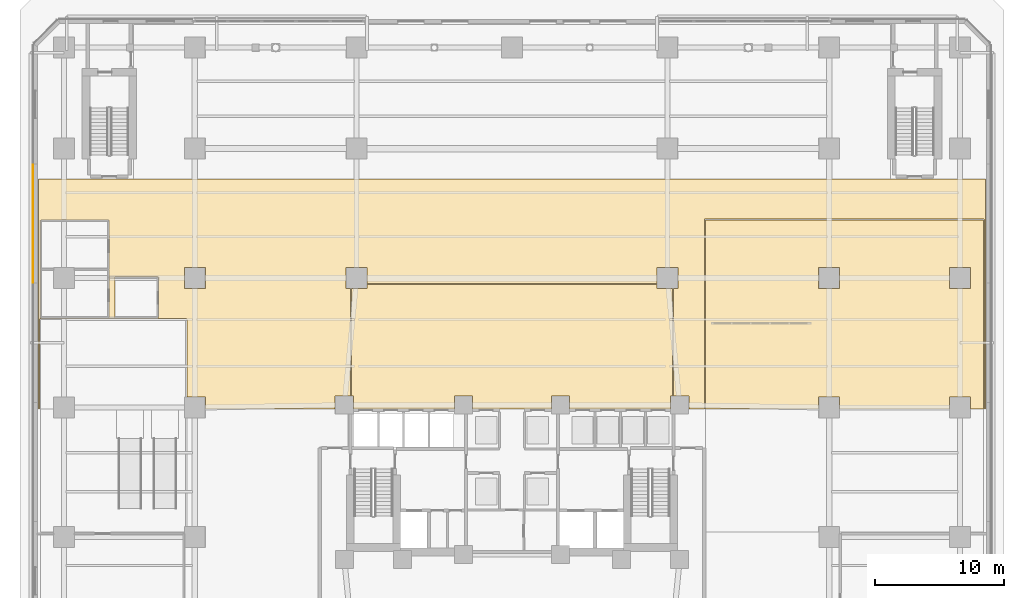
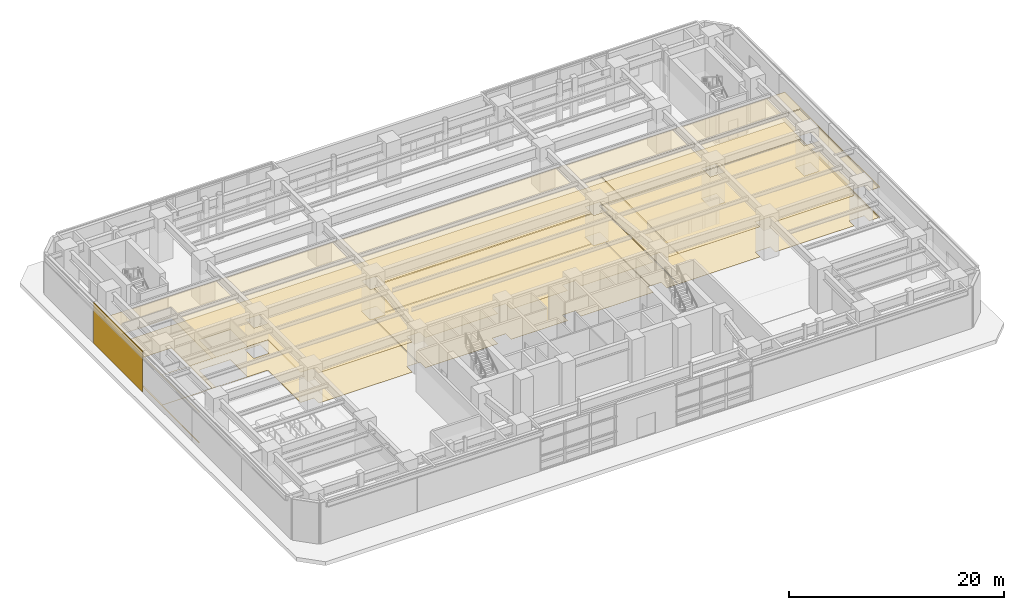
# One storey, part 22 of 26: 7 coverings.
"""IFC4 building model written with IfcOpenShell, lengths in metres."""

import ifcopenshell
import ifcopenshell.guid

model = None  # the IFC model being written
_history = None  # IfcOwnerHistory: only IFC2X3 demands one
_inside = {}  # id of a spatial element -> (the spatial element, [elements in it])
_under = {}  # id of a project, library or spatial element -> (it, [spatial elements below it])
_declared = {}  # id of a project -> (the project, [libraries it declares])
_typed = {}  # id of a type object -> (the type object, [elements of that type])
_made_of = {}  # id of a material, layer set ... -> (it, [elements and type objects made of it])


def new_model(schema):
    """Start an empty IFC model of exactly this schema.

    Asked for "IFC4X3", IfcOpenShell would pick the latest addendum, in which some entities
    have other attributes; the version numbers below select the first issue.
    IFC2X3 requires an IfcOwnerHistory on every rooted entity: one is made here for all.
    """
    global model, _history
    if schema == "IFC4X3":
        model = ifcopenshell.file(schema_version=(4, 3, 0, 0))
    else:
        model = ifcopenshell.file(schema=schema)
    _inside.clear()
    _under.clear()
    _declared.clear()
    _typed.clear()
    _made_of.clear()
    _history = None
    if model.schema == "IFC2X3":
        org = make("IfcOrganization", Name="unknown")
        user = make(
            "IfcPersonAndOrganization",
            ThePerson=make("IfcPerson", FamilyName="unknown"),
            TheOrganization=org,
        )
        app = make(
            "IfcApplication",
            ApplicationDeveloper=org,
            Version="unknown",
            ApplicationFullName="unknown",
            ApplicationIdentifier="unknown",
        )
        _history = make(
            "IfcOwnerHistory",
            OwningUser=user,
            OwningApplication=app,
            ChangeAction="ADDED",
            CreationDate=0,
        )
    return model


def make(cls, **values):
    """One entity of the class cls with the attributes given. An attribute that is None is left unset."""
    return model.create_entity(
        cls, **{name: value for name, value in values.items() if value is not None}
    )


def rooted(cls, **values):
    """An entity with a GlobalId (a new one), such as an element, a storey or a relation."""
    return make(cls, GlobalId=ifcopenshell.guid.new(), OwnerHistory=_history, **values)


def si_unit(unit_type, name, prefix=None):
    """IfcSIUnit, for example si_unit("LENGTHUNIT", "METRE", prefix="MILLI")."""
    return make("IfcSIUnit", UnitType=unit_type, Prefix=prefix, Name=name)


def assignment(units):
    """IfcUnitAssignment: the units of a project."""
    return None if units is None else make("IfcUnitAssignment", Units=units)


def point(xyz):
    """IfcCartesianPoint."""
    return None if xyz is None else make("IfcCartesianPoint", Coordinates=xyz)


def direction(xyz):
    """IfcDirection."""
    return None if xyz is None else make("IfcDirection", DirectionRatios=xyz)


def frame(location, z_axis=None, x_axis=None):
    """IfcAxis2Placement3D, a coordinate frame: its origin and axes. An axis left out is left unset."""
    return make(
        "IfcAxis2Placement3D",
        Location=point(location),
        Axis=direction(z_axis),
        RefDirection=direction(x_axis),
    )


def origin():
    """The frame at (0, 0, 0) with its axes left unset."""
    return frame((0.0, 0.0, 0.0))


def place(relative_to, where):
    """IfcLocalPlacement: puts the frame where relative to a parent placement (None: the world)."""
    return make(
        "IfcLocalPlacement", PlacementRelTo=relative_to, RelativePlacement=where
    )


def context(
    kind, dimensions, precision=None, world=None, true_north=None, identifier=None
):
    """IfcGeometricRepresentationContext, for example the 3D "Model" context."""
    return make(
        "IfcGeometricRepresentationContext",
        ContextIdentifier=identifier,
        ContextType=kind,
        CoordinateSpaceDimension=dimensions,
        Precision=precision,
        WorldCoordinateSystem=world,
        TrueNorth=true_north,
    )


def subcontext(parent, identifier, kind, view, scale=None):
    """IfcGeometricRepresentationSubContext, for example "Body" below "Model"."""
    return make(
        "IfcGeometricRepresentationSubContext",
        ContextIdentifier=identifier,
        ContextType=kind,
        ParentContext=parent,
        TargetScale=scale,
        TargetView=view,
    )


def project(units=None, contexts=None):
    """IfcProject with its units and contexts."""
    return rooted(
        "IfcProject",
        Name="project",
        RepresentationContexts=contexts,
        UnitsInContext=assignment(units),
    )


def spatial(cls, under=None, at=None, **own):
    """A site, building, storey or space (cls), placed at a placement, below another one or the project."""
    s = rooted(cls, ObjectPlacement=at, **own)
    if under is not None:
        _under.setdefault(under.id(), (under, []))[1].append(s)
    return s


def polyline(points):
    """IfcPolyline through the points."""
    return make("IfcPolyline", Points=[point(p) for p in points])


def outline(outer, holes=None, kind="AREA"):
    """IfcArbitraryClosedProfileDef: a profile drawn as a closed curve; with holes, ...WithVoids."""
    if holes is None:
        return make("IfcArbitraryClosedProfileDef", ProfileType=kind, OuterCurve=outer)
    return make(
        "IfcArbitraryProfileDefWithVoids",
        ProfileType=kind,
        OuterCurve=outer,
        InnerCurves=holes,
    )


def extrude(swept, where, along, depth):
    """IfcExtrudedAreaSolid: the profile swept, set in the frame where, extruded along a direction by depth."""
    return make(
        "IfcExtrudedAreaSolid",
        SweptArea=swept,
        Position=where,
        ExtrudedDirection=direction(along),
        Depth=depth,
    )


def shape(context_of_items, identifier, shape_type, items):
    """IfcShapeRepresentation: the items that make up one representation, for example the "Body"."""
    return make(
        "IfcShapeRepresentation",
        ContextOfItems=context_of_items,
        RepresentationIdentifier=identifier,
        RepresentationType=shape_type,
        Items=items,
    )


def material(Name=None, Category=None):
    """IfcMaterial."""
    return make("IfcMaterial", Name=Name, Category=Category)


def layer(
    of_material, thickness, ventilated=None, Name=None, Category=None, Priority=None
):
    """IfcMaterialLayer: one layer of a wall or slab, of a material (None: an air gap)."""
    return make(
        "IfcMaterialLayer",
        Material=of_material,
        LayerThickness=thickness,
        IsVentilated=ventilated,
        Name=Name,
        Category=Category,
        Priority=Priority,
    )


def layer_set(layers, Name=None):
    """IfcMaterialLayerSet."""
    return make("IfcMaterialLayerSet", MaterialLayers=layers, LayerSetName=Name)


def made_of(thing, what):
    """Note that an element or type object is made of a material, layer set ...; save() writes the relation."""
    if what is not None:
        _made_of.setdefault(what.id(), (what, []))[1].append(thing)
    return thing


def type_object(cls, material=None, **own):
    """A type object (cls), such as IfcWallType, which elements share."""
    return made_of(rooted(cls, **own), material)


def element(
    cls,
    number,
    at=None,
    inside=None,
    cuts=None,
    type_object=None,
    material=None,
    context=None,
    identifier="Body",
    shape_type=None,
    held_by="IfcProductDefinitionShape",
    body=None,
    shapes=None,
    **own,
):
    """One element of the class cls, such as IfcWall. Its Tag is "e" and its number.

    at: its placement. inside: the storey or other place that contains it. cuts: it is an
    opening in that element (IfcRelVoidsElement). A single representation is given by context,
    identifier, shape_type and body (its items); several are given by shapes. held_by: the class
    of the entity that holds the representations. save() writes the other relations.
    """
    e = rooted(cls, Tag="e%d" % number, ObjectPlacement=at, **own)
    if body is not None:
        shapes = [shape(context, identifier, shape_type, body)]
    if shapes is not None:
        e.Representation = make(held_by, Representations=shapes)
    if inside is not None:
        _inside.setdefault(inside.id(), (inside, []))[1].append(e)
    if cuts is not None:
        rooted(
            "IfcRelVoidsElement", RelatingBuildingElement=cuts, RelatedOpeningElement=e
        )
    if type_object is not None:
        _typed.setdefault(type_object.id(), (type_object, []))[1].append(e)
    return made_of(e, material)


def aggregate(whole, parts):
    """IfcRelAggregates: a whole, such as a stair, and the parts it consists of."""
    return rooted("IfcRelAggregates", RelatingObject=whole, RelatedObjects=parts)


def save(model, path):
    """Write the relations noted so far, then the file.

    IfcRelAggregates (storeys below a building ...), IfcRelContainedInSpatialStructure (elements
    in a storey), IfcRelDefinesByType, IfcRelAssociatesMaterial and IfcRelDeclares: one each for
    every whole, place, type object, material and project.
    """
    for whole, parts in _under.values():
        aggregate(whole, parts)
    for where, things in _inside.values():
        rooted(
            "IfcRelContainedInSpatialStructure",
            RelatedElements=things,
            RelatingStructure=where,
        )
    for kind, things in _typed.values():
        rooted("IfcRelDefinesByType", RelatedObjects=things, RelatingType=kind)
    for what, things in _made_of.values():
        rooted("IfcRelAssociatesMaterial", RelatedObjects=things, RelatingMaterial=what)
    for by, libraries in _declared.values():
        rooted("IfcRelDeclares", RelatingContext=by, RelatedDefinitions=libraries)
    model.write(path)


model = new_model("IFC4")

# Units and contexts
model_context = context("Model", 3, precision=1e-05, world=origin(), true_north=direction((0.0, 1.0)))
body_context = subcontext(model_context, "Body", "Model", "MODEL_VIEW")
ifc_project = project(units=[si_unit("LENGTHUNIT", "METRE"), si_unit("AREAUNIT", "SQUARE_METRE"), si_unit("VOLUMEUNIT", "CUBIC_METRE"), si_unit("PLANEANGLEUNIT", "RADIAN"), si_unit("MASSUNIT", "GRAM", prefix="KILO")], contexts=[model_context])

# Site, building, storey
site_placement = place(None, origin())
site = spatial("IfcSite", under=ifc_project, at=site_placement, CompositionType="ELEMENT")
building_placement = place(site_placement, origin())
building = spatial("IfcBuilding", under=site, at=building_placement, Name="Quenlor Broadcast Tower", CompositionType="ELEMENT")
storey_placement = place(building_placement, origin())
storey = spatial("IfcBuildingStorey", under=building, at=storey_placement, Name="L00", CompositionType="ELEMENT", Elevation=0.0)

# Coverings
ifc_material_1 = material(Name="Acoustic Mineral Fibre Board", Category="other")
ifc_layer_1 = layer(ifc_material_1, 0.02490234375)
ifc_layer_set_1 = layer_set([ifc_layer_1], Name="Acoustic Perforated Mineral Tile Ceiling 25")
covering_type_1 = type_object("IfcCoveringType", Name="Acoustic Perforated Mineral Tile Ceiling 25", PredefinedType="CEILING", material=ifc_layer_set_1)
covering_1_placement = place(storey_placement, frame((0.0, 0.0, 3.425048828125)))
element("IfcCovering", 1, at=covering_1_placement, inside=storey, type_object=covering_type_1, Name="L00 Acoustic Ceiling L00-40", PredefinedType="CEILING", context=body_context, shape_type="SweptSolid", body=[
    extrude(outline(polyline([(12.39990234375, 4.19189453125), (12.39990234375, -4.092041015625), (12.241943359375, -4.092041015625), (12.241943359375, -5.1201171875), (4.4580078125, -5.1201171875), (4.4580078125, -4.092041015625), (3.0419921875, -4.092041015625), (3.0419921875, -5.1201171875), (-3.0419921875, -5.1201171875), (-3.0419921875, -4.092041015625), (-4.4580078125, -4.092041015625), (-4.4580078125, -5.1201171875), (-12.241943359375, -5.1201171875), (-12.241943359375, -4.092041015625), (-12.39990234375, -4.092041015625), (-12.39990234375, 4.19189453125), (-11.19189453125, 4.19189453125), (-11.19189453125, 4.5), (11.19189453125, 4.5), (11.19189453125, 4.19189453125), (12.39990234375, 4.19189453125)])), origin(), (0.0, 0.0, 1.0), 0.02490234375),
])
covering_2_placement = place(storey_placement, frame((0.0, 0.0, 3.425048828125)))
element("IfcCovering", 2, at=covering_2_placement, inside=storey, type_object=covering_type_1, Name="L00 Acoustic Ceiling L00-41", PredefinedType="CEILING", context=body_context, shape_type="SweptSolid", body=[
    extrude(outline(polyline([(36.39990234375, -5.1201171875), (35.407958984375, -5.1201171875), (35.407958984375, -4.19189453125), (33.7919921875, -4.19189453125), (33.7919921875, -5.1201171875), (25.30810546875, -5.1201171875), (25.30810546875, -4.19189453125), (23.69189453125, -4.19189453125), (23.69189453125, -5.1201171875), (14.949951171875, -5.1201171875), (14.949951171875, 9.5), (36.39990234375, 9.5), (36.39990234375, -5.1201171875)]), holes=[polyline([(25.30810546875, 4.19189453125), (25.30810546875, 5.80810546875), (23.69189453125, 5.80810546875), (23.69189453125, 4.19189453125), (25.30810546875, 4.19189453125)]), polyline([(35.407958984375, 4.19189453125), (35.407958984375, 5.80810546875), (33.7919921875, 5.80810546875), (33.7919921875, 4.19189453125), (35.407958984375, 4.19189453125)])]), origin(), (0.0, 0.0, 1.0), 0.02490234375),
])
covering_3_placement = place(storey_placement, frame((0.0, 0.0, 3.425048828125)))
element("IfcCovering", 3, at=covering_3_placement, inside=storey, type_object=covering_type_1, Name="L00 Acoustic Ceiling L00-42", PredefinedType="CEILING", context=body_context, shape_type="SweptSolid", body=[
    extrude(outline(polyline([(36.580078125, -5.1201171875), (36.47998046875, -5.1201171875), (36.47998046875, 9.5), (36.478515625, 9.515625), (36.473876953125, 9.530517578125), (36.466552734375, 9.54443359375), (36.45654296875, 9.556640625), (36.4443359375, 9.56640625), (36.4306640625, 9.573974609375), (36.41552734375, 9.57861328125), (36.39990234375, 9.580078125), (14.949951171875, 9.580078125), (14.934326171875, 9.57861328125), (14.91943359375, 9.573974609375), (14.905517578125, 9.56640625), (14.893310546875, 9.556640625), (14.883544921875, 9.54443359375), (14.876220703125, 9.530517578125), (14.87158203125, 9.515625), (14.8701171875, 9.5), (14.8701171875, -5.1201171875), (13.657958984375, -5.1201171875), (13.657958984375, -4.092041015625), (12.47998046875, -4.092041015625), (12.47998046875, 4.19189453125), (12.80810546875, 4.19189453125), (12.80810546875, 5.80810546875), (11.19189453125, 5.80810546875), (11.19189453125, 4.580078125), (-11.19189453125, 4.580078125), (-11.19189453125, 5.80810546875), (-12.80810546875, 5.80810546875), (-12.80810546875, 4.19189453125), (-12.47998046875, 4.19189453125), (-12.47998046875, -4.092041015625), (-13.657958984375, -4.092041015625), (-13.657958984375, -5.1201171875), (-23.69189453125, -5.1201171875), (-23.69189453125, -4.19189453125), (-25.1201171875, -4.19189453125), (-25.1201171875, 1.800048828125), (-25.12158203125, 1.815673828125), (-25.126220703125, 1.83056640625), (-25.133544921875, 1.844482421875), (-25.143310546875, 1.856689453125), (-25.155517578125, 1.866455078125), (-25.16943359375, 1.873779296875), (-25.184326171875, 1.87841796875), (-25.199951171875, 1.8798828125), (-36.39990234375, 1.8798828125), (-36.41552734375, 1.87841796875), (-36.4306640625, 1.873779296875), (-36.4443359375, 1.866455078125), (-36.45654296875, 1.856689453125), (-36.466552734375, 1.844482421875), (-36.473876953125, 1.83056640625), (-36.478515625, 1.815673828125), (-36.47998046875, 1.800048828125), (-36.47998046875, -5.1201171875), (-36.580078125, -5.1201171875), (-36.580078125, 12.64990234375), (36.580078125, 12.64990234375), (36.580078125, -5.1201171875)]), holes=[polyline([(-27.384521484375, 1.92138671875), (-27.369384765625, 1.926025390625), (-27.355712890625, 1.93359375), (-27.343505859375, 1.943359375), (-27.33349609375, 1.95556640625), (-27.326171875, 1.969482421875), (-27.321533203125, 1.984375), (-27.320068359375, 2.0), (-27.320068359375, 5.0), (-27.321533203125, 5.015625), (-27.326171875, 5.030517578125), (-27.33349609375, 5.04443359375), (-27.343505859375, 5.056640625), (-27.355712890625, 5.06640625), (-27.369384765625, 5.073974609375), (-27.384521484375, 5.07861328125), (-27.39990234375, 5.080078125), (-30.60009765625, 5.080078125), (-30.615478515625, 5.07861328125), (-30.630615234375, 5.073974609375), (-30.644287109375, 5.06640625), (-30.656494140625, 5.056640625), (-30.66650390625, 5.04443359375), (-30.673828125, 5.030517578125), (-30.678466796875, 5.015625), (-30.679931640625, 5.0), (-30.679931640625, 2.0), (-30.678466796875, 1.984375), (-30.673828125, 1.969482421875), (-30.66650390625, 1.95556640625), (-30.656494140625, 1.943359375), (-30.644287109375, 1.93359375), (-30.630615234375, 1.926025390625), (-30.615478515625, 1.92138671875), (-30.60009765625, 1.919921875), (-27.39990234375, 1.919921875), (-27.384521484375, 1.92138671875)]), polyline([(-31.184326171875, 1.92138671875), (-31.16943359375, 1.926025390625), (-31.155517578125, 1.93359375), (-31.143310546875, 1.943359375), (-31.133544921875, 1.95556640625), (-31.126220703125, 1.969482421875), (-31.12158203125, 1.984375), (-31.1201171875, 2.0), (-31.1201171875, 5.60009765625), (-31.12158203125, 5.615478515625), (-31.126220703125, 5.630615234375), (-31.133544921875, 5.644287109375), (-31.143310546875, 5.656494140625), (-31.155517578125, 5.66650390625), (-31.16943359375, 5.673828125), (-31.155517578125, 5.68359375), (-31.143310546875, 5.693359375), (-31.133544921875, 5.70556640625), (-31.126220703125, 5.719482421875), (-31.12158203125, 5.734375), (-31.1201171875, 5.75), (-31.1201171875, 9.39990234375), (-31.12158203125, 9.41552734375), (-31.126220703125, 9.4306640625), (-31.133544921875, 9.4443359375), (-31.143310546875, 9.45654296875), (-31.155517578125, 9.466552734375), (-31.16943359375, 9.473876953125), (-31.184326171875, 9.478515625), (-31.199951171875, 9.47998046875), (-36.35009765625, 9.47998046875), (-36.365478515625, 9.478515625), (-36.380615234375, 9.473876953125), (-36.394287109375, 9.466552734375), (-36.406494140625, 9.45654296875), (-36.41650390625, 9.4443359375), (-36.423828125, 9.4306640625), (-36.428466796875, 9.41552734375), (-36.429931640625, 9.39990234375), (-36.429931640625, 5.75), (-36.428466796875, 5.734375), (-36.423828125, 5.719482421875), (-36.41650390625, 5.70556640625), (-36.406494140625, 5.693359375), (-36.394287109375, 5.68359375), (-36.380615234375, 5.676025390625), (-36.394287109375, 5.66650390625), (-36.406494140625, 5.656494140625), (-36.41650390625, 5.644287109375), (-36.423828125, 5.630615234375), (-36.428466796875, 5.615478515625), (-36.429931640625, 5.60009765625), (-36.429931640625, 2.0), (-36.428466796875, 1.984375), (-36.423828125, 1.969482421875), (-36.41650390625, 1.95556640625), (-36.406494140625, 1.943359375), (-36.394287109375, 1.93359375), (-36.380615234375, 1.926025390625), (-36.35791015625, 1.92041015625), (-31.199951171875, 1.919921875), (-31.184326171875, 1.92138671875)]), polyline([(-23.69189453125, 4.19189453125), (-23.69189453125, 5.80810546875), (-25.30810546875, 5.80810546875), (-25.30810546875, 4.19189453125), (-23.69189453125, 4.19189453125)])]), origin(), (0.0, 0.0, 1.0), 0.02490234375),
])
ifc_material_2 = material(Name="Architectural Terracotta Ceramic", Category="masonry")
ifc_layer_2 = layer(ifc_material_2, 0.044921875)
ifc_layer_set_2 = layer_set([ifc_layer_2], Name="Fluted Terracotta Rainscreen Cladding Panel")
covering_type_2 = type_object("IfcCoveringType", Name="Fluted Terracotta Rainscreen Cladding Panel", PredefinedType="CLADDING", material=ifc_layer_set_2)
covering_4_placement = place(storey_placement, frame((0.0, 0.0, 0.02001953125)))
element("IfcCovering", 4, at=covering_4_placement, inside=storey, type_object=covering_type_2, Name="L00 Terracotta Rainscreen Cladding L00-EW-W4", PredefinedType="CLADDING", context=body_context, shape_type="SweptSolid", body=[
    extrude(outline(polyline([(-36.971923828125, 4.6298828125), (-36.971923828125, 13.77001953125), (-37.01708984375, 13.77001953125), (-37.01708984375, 4.6298828125), (-36.971923828125, 4.6298828125)])), origin(), (0.0, 0.0, 1.0), 4.659912109375),
])
ifc_material_3 = material(Name="Terrazzo Stone Finish", Category="masonry")
ifc_layer_3 = layer(ifc_material_3, 0.02001953125)
ifc_layer_set_3 = layer_set([ifc_layer_3], Name="Polished Sandstone Terrazzo Flooring 20")
covering_type_3 = type_object("IfcCoveringType", Name="Polished Sandstone Terrazzo Flooring 20", PredefinedType="FLOORING", material=ifc_layer_set_3)
covering_5_placement = place(storey_placement, origin())
element("IfcCovering", 5, at=covering_5_placement, inside=storey, type_object=covering_type_3, Name="L00 Terrazzo Flooring L00-40", PredefinedType="FLOORING", context=body_context, shape_type="SweptSolid", body=[
    extrude(outline(polyline([(12.39990234375, 4.19189453125), (12.39990234375, -4.092041015625), (12.241943359375, -4.092041015625), (12.241943359375, -5.1201171875), (4.4580078125, -5.1201171875), (4.4580078125, -4.092041015625), (3.0419921875, -4.092041015625), (3.0419921875, -5.1201171875), (-3.0419921875, -5.1201171875), (-3.0419921875, -4.092041015625), (-4.4580078125, -4.092041015625), (-4.4580078125, -5.1201171875), (-12.241943359375, -5.1201171875), (-12.241943359375, -4.092041015625), (-12.39990234375, -4.092041015625), (-12.39990234375, 4.19189453125), (-11.19189453125, 4.19189453125), (-11.19189453125, 4.5), (11.19189453125, 4.5), (11.19189453125, 4.19189453125), (12.39990234375, 4.19189453125)])), origin(), (0.0, 0.0, 1.0), 0.02001953125),
])
covering_6_placement = place(storey_placement, origin())
element("IfcCovering", 6, at=covering_6_placement, inside=storey, type_object=covering_type_3, Name="L00 Terrazzo Flooring L00-41", PredefinedType="FLOORING", context=body_context, shape_type="SweptSolid", body=[
    extrude(outline(polyline([(36.39990234375, -5.1201171875), (35.407958984375, -5.1201171875), (35.407958984375, -4.19189453125), (33.7919921875, -4.19189453125), (33.7919921875, -5.1201171875), (25.30810546875, -5.1201171875), (25.30810546875, -4.19189453125), (23.69189453125, -4.19189453125), (23.69189453125, -5.1201171875), (14.949951171875, -5.1201171875), (14.949951171875, 9.5), (36.39990234375, 9.5), (36.39990234375, -5.1201171875)]), holes=[polyline([(25.30810546875, 4.19189453125), (25.30810546875, 5.80810546875), (23.69189453125, 5.80810546875), (23.69189453125, 4.19189453125), (25.30810546875, 4.19189453125)]), polyline([(35.407958984375, 4.19189453125), (35.407958984375, 5.80810546875), (33.7919921875, 5.80810546875), (33.7919921875, 4.19189453125), (35.407958984375, 4.19189453125)])]), origin(), (0.0, 0.0, 1.0), 0.02001953125),
])
covering_7_placement = place(storey_placement, origin())
element("IfcCovering", 7, at=covering_7_placement, inside=storey, type_object=covering_type_3, Name="L00 Terrazzo Flooring L00-42", PredefinedType="FLOORING", context=body_context, shape_type="SweptSolid", body=[
    extrude(outline(polyline([(36.580078125, -5.1201171875), (36.47998046875, -5.1201171875), (36.47998046875, 9.5), (36.478515625, 9.515625), (36.473876953125, 9.530517578125), (36.466552734375, 9.54443359375), (36.45654296875, 9.556640625), (36.4443359375, 9.56640625), (36.4306640625, 9.573974609375), (36.41552734375, 9.57861328125), (36.39990234375, 9.580078125), (14.949951171875, 9.580078125), (14.934326171875, 9.57861328125), (14.91943359375, 9.573974609375), (14.905517578125, 9.56640625), (14.893310546875, 9.556640625), (14.883544921875, 9.54443359375), (14.876220703125, 9.530517578125), (14.87158203125, 9.515625), (14.8701171875, 9.5), (14.8701171875, -5.1201171875), (13.657958984375, -5.1201171875), (13.657958984375, -4.092041015625), (12.47998046875, -4.092041015625), (12.47998046875, 4.19189453125), (12.80810546875, 4.19189453125), (12.80810546875, 5.80810546875), (11.19189453125, 5.80810546875), (11.19189453125, 4.580078125), (-11.19189453125, 4.580078125), (-11.19189453125, 5.80810546875), (-12.80810546875, 5.80810546875), (-12.80810546875, 4.19189453125), (-12.47998046875, 4.19189453125), (-12.47998046875, -4.092041015625), (-13.657958984375, -4.092041015625), (-13.657958984375, -5.1201171875), (-23.69189453125, -5.1201171875), (-23.69189453125, -4.19189453125), (-25.1201171875, -4.19189453125), (-25.1201171875, 1.800048828125), (-25.12158203125, 1.815673828125), (-25.126220703125, 1.83056640625), (-25.133544921875, 1.844482421875), (-25.143310546875, 1.856689453125), (-25.155517578125, 1.866455078125), (-25.16943359375, 1.873779296875), (-25.184326171875, 1.87841796875), (-25.199951171875, 1.8798828125), (-36.39990234375, 1.8798828125), (-36.41552734375, 1.87841796875), (-36.4306640625, 1.873779296875), (-36.4443359375, 1.866455078125), (-36.45654296875, 1.856689453125), (-36.466552734375, 1.844482421875), (-36.473876953125, 1.83056640625), (-36.478515625, 1.815673828125), (-36.47998046875, 1.800048828125), (-36.47998046875, -5.1201171875), (-36.580078125, -5.1201171875), (-36.580078125, 12.64990234375), (36.580078125, 12.64990234375), (36.580078125, -5.1201171875)]), holes=[polyline([(-27.384521484375, 1.92138671875), (-27.369384765625, 1.926025390625), (-27.355712890625, 1.93359375), (-27.343505859375, 1.943359375), (-27.33349609375, 1.95556640625), (-27.326171875, 1.969482421875), (-27.321533203125, 1.984375), (-27.320068359375, 2.0), (-27.320068359375, 5.0), (-27.321533203125, 5.015625), (-27.326171875, 5.030517578125), (-27.33349609375, 5.04443359375), (-27.343505859375, 5.056640625), (-27.355712890625, 5.06640625), (-27.369384765625, 5.073974609375), (-27.384521484375, 5.07861328125), (-27.39990234375, 5.080078125), (-30.60009765625, 5.080078125), (-30.615478515625, 5.07861328125), (-30.630615234375, 5.073974609375), (-30.644287109375, 5.06640625), (-30.656494140625, 5.056640625), (-30.66650390625, 5.04443359375), (-30.673828125, 5.030517578125), (-30.678466796875, 5.015625), (-30.679931640625, 5.0), (-30.679931640625, 2.0), (-30.678466796875, 1.984375), (-30.673828125, 1.969482421875), (-30.66650390625, 1.95556640625), (-30.656494140625, 1.943359375), (-30.644287109375, 1.93359375), (-30.630615234375, 1.926025390625), (-30.615478515625, 1.92138671875), (-30.60009765625, 1.919921875), (-27.39990234375, 1.919921875), (-27.384521484375, 1.92138671875)]), polyline([(-31.184326171875, 1.92138671875), (-31.16943359375, 1.926025390625), (-31.155517578125, 1.93359375), (-31.143310546875, 1.943359375), (-31.133544921875, 1.95556640625), (-31.126220703125, 1.969482421875), (-31.12158203125, 1.984375), (-31.1201171875, 2.0), (-31.1201171875, 5.60009765625), (-31.12158203125, 5.615478515625), (-31.126220703125, 5.630615234375), (-31.133544921875, 5.644287109375), (-31.143310546875, 5.656494140625), (-31.155517578125, 5.66650390625), (-31.16943359375, 5.673828125), (-31.155517578125, 5.68359375), (-31.143310546875, 5.693359375), (-31.133544921875, 5.70556640625), (-31.126220703125, 5.719482421875), (-31.12158203125, 5.734375), (-31.1201171875, 5.75), (-31.1201171875, 9.39990234375), (-31.12158203125, 9.41552734375), (-31.126220703125, 9.4306640625), (-31.133544921875, 9.4443359375), (-31.143310546875, 9.45654296875), (-31.155517578125, 9.466552734375), (-31.16943359375, 9.473876953125), (-31.184326171875, 9.478515625), (-31.199951171875, 9.47998046875), (-36.35009765625, 9.47998046875), (-36.365478515625, 9.478515625), (-36.380615234375, 9.473876953125), (-36.394287109375, 9.466552734375), (-36.406494140625, 9.45654296875), (-36.41650390625, 9.4443359375), (-36.423828125, 9.4306640625), (-36.428466796875, 9.41552734375), (-36.429931640625, 9.39990234375), (-36.429931640625, 5.75), (-36.428466796875, 5.734375), (-36.423828125, 5.719482421875), (-36.41650390625, 5.70556640625), (-36.406494140625, 5.693359375), (-36.394287109375, 5.68359375), (-36.380615234375, 5.676025390625), (-36.394287109375, 5.66650390625), (-36.406494140625, 5.656494140625), (-36.41650390625, 5.644287109375), (-36.423828125, 5.630615234375), (-36.428466796875, 5.615478515625), (-36.429931640625, 5.60009765625), (-36.429931640625, 2.0), (-36.428466796875, 1.984375), (-36.423828125, 1.969482421875), (-36.41650390625, 1.95556640625), (-36.406494140625, 1.943359375), (-36.394287109375, 1.93359375), (-36.380615234375, 1.926025390625), (-36.35791015625, 1.92041015625), (-31.199951171875, 1.919921875), (-31.184326171875, 1.92138671875)]), polyline([(-23.69189453125, 4.19189453125), (-23.69189453125, 5.80810546875), (-25.30810546875, 5.80810546875), (-25.30810546875, 4.19189453125), (-23.69189453125, 4.19189453125)])]), origin(), (0.0, 0.0, 1.0), 0.02001953125),
])

save(model, "model.ifc")
